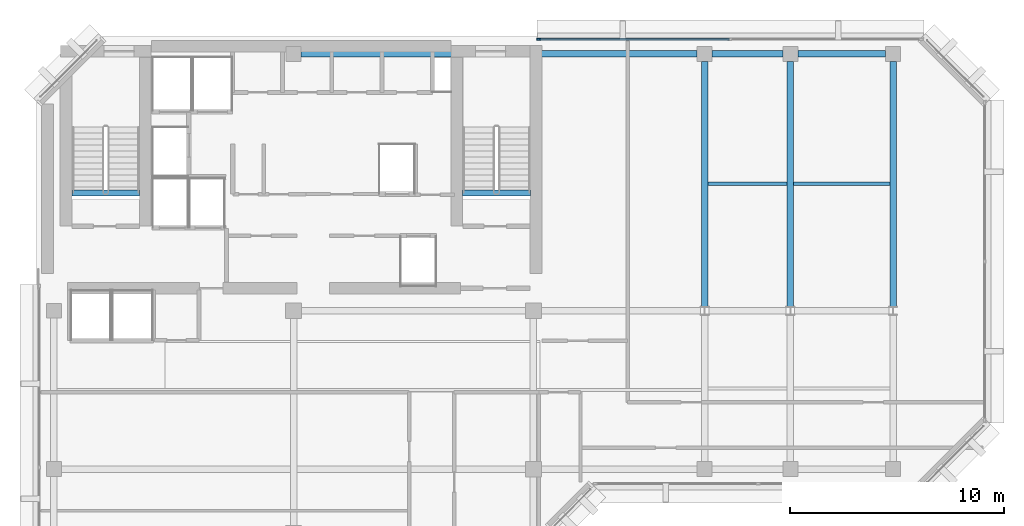
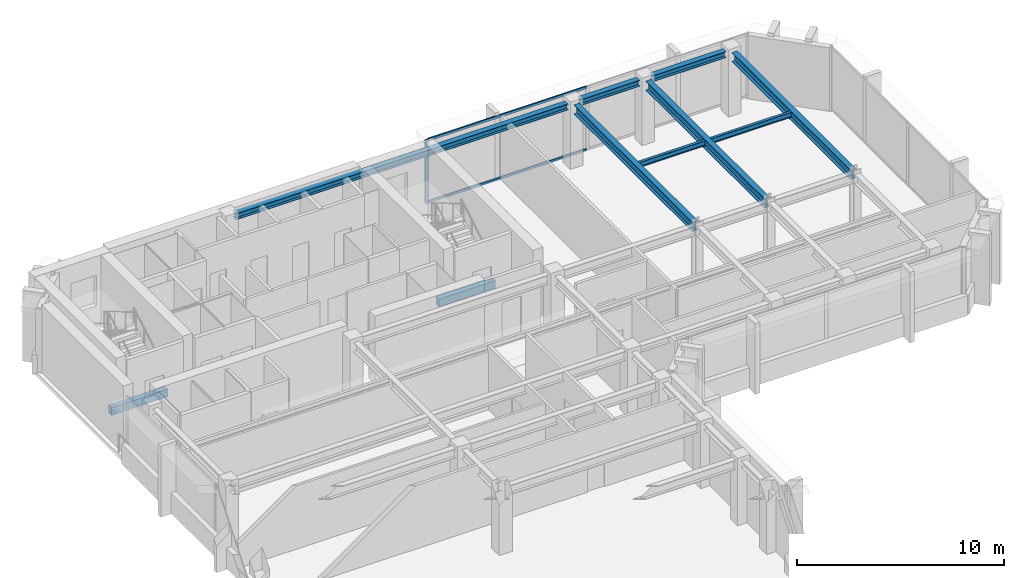
# One storey, part 4 of 11: 10 beams, 3 members, 1 element without a shape of its own.
"""IFC4 building model written with IfcOpenShell, lengths in metres."""

from ifc_helpers import new_model, si_unit, direction, frame, origin, origin_2d, place, context, subcontext, project, spatial, rectangle, i_section, extrude, material, layer, layer_set, material_profile, profile_set, type_object, element, aggregate, save


model = new_model("IFC4")

# Units and contexts
model_context = context("Model", 3, precision=1e-05, world=origin(), true_north=direction((0.0, 1.0)))
body_context = subcontext(model_context, "Body", "Model", "MODEL_VIEW")
ifc_project = project(units=[si_unit("LENGTHUNIT", "METRE"), si_unit("AREAUNIT", "SQUARE_METRE"), si_unit("VOLUMEUNIT", "CUBIC_METRE"), si_unit("PLANEANGLEUNIT", "RADIAN"), si_unit("MASSUNIT", "GRAM", prefix="KILO")], contexts=[model_context])

# Site, building, storey
site_placement = place(None, origin())
site = spatial("IfcSite", under=ifc_project, at=site_placement, CompositionType="ELEMENT")
building_placement = place(site_placement, origin())
building = spatial("IfcBuilding", under=site, at=building_placement, Name="Kefirva Bronze Tower", CompositionType="ELEMENT")
storey_placement = place(building_placement, frame((0.0, 0.0, 319.77001953125)))
storey = spatial("IfcBuildingStorey", under=building, at=storey_placement, Name="L78", CompositionType="ELEMENT", Elevation=319.77001953125)

# Curtain wall, members
ifc_material_1 = material(Name="Bronze anodised aluminium", Category="aluminium")
ifc_layer = layer(ifc_material_1, 0.179931640625, Name="Bronze anodised aluminium")
ifc_layer_set = layer_set([ifc_layer], Name="Bronze anodised aluminium")
curtain_wall_type = type_object("IfcCurtainWallType", Name="Unitised Bronze Ribbon Curtain Wall Zone 4", PredefinedType="USERDEFINED", material=ifc_layer_set)
curtain_wall_placement = place(storey_placement, origin())
curtain_wall = element("IfcCurtainWall", 1, at=curtain_wall_placement, inside=storey, type_object=curtain_wall_type, Name="L78 Curtain Wall 4", ObjectType="UNITISED CURTAIN WALL", PredefinedType="USERDEFINED")
ifc_material_profile_1 = material_profile(ifc_material_1, rectangle(XDim=0.074951171875, YDim=0.179931640625, at=origin_2d()), Name="ALU 75x180")
ifc_profile_set_1 = profile_set([ifc_material_profile_1], Name="Bronze anodised aluminium")
member_type_1 = type_object("IfcMemberType", Name="Bronze Mullion 75x180", PredefinedType="MULLION", material=ifc_profile_set_1)
member_1_placement = place(storey_placement, frame((23.4423828125, 45.8798828125, 0.0), z_axis=(0.0, 0.0, 1.0), x_axis=(0.0, -1.0, 0.0)))
member_1 = element("IfcMember", 2, at=member_1_placement, type_object=member_type_1, Name="CW-04 mullion 3", PredefinedType="MULLION", context=body_context, shape_type="SweptSolid", body=[
    extrude(rectangle(XDim=0.074951171875, YDim=0.179931640625, at=origin_2d()), origin(), (0.0, 0.0, 1.0), 3.739990234375),
])
ifc_material_profile_2 = material_profile(ifc_material_1, rectangle(XDim=0.074951171875, YDim=0.14990234375, at=origin_2d()), Name="ALU 75x150")
ifc_profile_set_2 = profile_set([ifc_material_profile_2], Name="Bronze anodised aluminium")
member_type_2 = type_object("IfcMemberType", Name="Bronze Transom 75x150", PredefinedType="USERDEFINED", material=ifc_profile_set_2)
member_2_placement = place(storey_placement, frame((32.33740234375, 45.8798828125, 0.03759765625), z_axis=(-1.0, 0.0, 0.0), x_axis=(0.0, -1.0, 0.0)))
member_2 = element("IfcMember", 3, at=member_2_placement, type_object=member_type_2, Name="CW-04 transom 2.1", ObjectType="TRANSOM", PredefinedType="USERDEFINED", context=body_context, shape_type="SweptSolid", body=[
    extrude(rectangle(XDim=0.074951171875, YDim=0.14990234375, at=origin_2d()), origin(), (0.0, 0.0, 1.0), 8.857421875),
])
member_3_placement = place(storey_placement, frame((32.33740234375, 45.8798828125, 3.702392578125), z_axis=(-1.0, 0.0, 0.0), x_axis=(0.0, -1.0, 0.0)))
member_3 = element("IfcMember", 4, at=member_3_placement, type_object=member_type_2, Name="CW-04 transom 2.2", ObjectType="TRANSOM", PredefinedType="USERDEFINED", context=body_context, shape_type="SweptSolid", body=[
    extrude(rectangle(XDim=0.074951171875, YDim=0.14990234375, at=origin_2d()), origin(), (0.0, 0.0, 1.0), 8.857421875),
])
aggregate(curtain_wall, [member_1, member_2, member_3])

# Beams
ifc_material_2 = material(Name="Concrete C50/60", Category="concrete")
ifc_material_profile_3 = material_profile(ifc_material_2, rectangle(XDim=0.300048828125, YDim=0.449951171875, at=origin_2d()), Name="RC 300x450")
ifc_profile_set_3 = profile_set([ifc_material_profile_3], Name="Concrete C50/60")
beam_type_1 = type_object("IfcBeamType", Name="RC Stair Trimmer Beam 300x450", PredefinedType="BEAM", material=ifc_profile_set_3)
beam_1_placement = place(storey_placement, frame((1.64501953125, 38.699951171875, -0.22509765625), z_axis=(1.0, 0.0, 0.0), x_axis=(0.0, 1.0, 0.0)))
element("IfcBeam", 5, at=beam_1_placement, inside=storey, type_object=beam_type_1, Name="L78 Stair 1 Landing Trimmer Beam", PredefinedType="BEAM", context=body_context, shape_type="SweptSolid", body=[
    extrude(rectangle(XDim=0.300048828125, YDim=0.449951171875, at=origin_2d()), origin(), (0.0, 0.0, 1.0), 3.14990234375),
])
beam_2_placement = place(storey_placement, frame((19.89501953125, 38.699951171875, -0.22509765625), z_axis=(1.0, 0.0, 0.0), x_axis=(0.0, 1.0, 0.0)))
element("IfcBeam", 6, at=beam_2_placement, inside=storey, type_object=beam_type_1, Name="L78 Stair 2 Landing Trimmer Beam", PredefinedType="BEAM", context=body_context, shape_type="SweptSolid", body=[
    extrude(rectangle(XDim=0.300048828125, YDim=0.449951171875, at=origin_2d()), origin(), (0.0, 0.0, 1.0), 3.159912109375),
])
ifc_material_3 = material(Name="Steel S355", Category="steel")
ifc_material_profile_4 = material_profile(ifc_material_3, i_section(OverallWidth=0.14990234375, OverallDepth=0.300048828125, WebThickness=0.007080078125, FlangeThickness=0.0107421875, at=origin_2d()), Name="IPE 300")
ifc_profile_set_4 = profile_set([ifc_material_profile_4], Name="Steel S355")
beam_type_2 = type_object("IfcBeamType", Name="Steel Floor Joist IPE 300", PredefinedType="JOIST", material=ifc_profile_set_4)
beam_3_placement = place(storey_placement, frame((31.35009765625, 39.12890625, 3.590087890625), z_axis=(1.0, 0.0, 0.0), x_axis=(0.0, 1.0, 0.0)))
element("IfcBeam", 7, at=beam_3_placement, inside=storey, type_object=beam_type_2, Name="L78 JST-L78-31-391", PredefinedType="JOIST", context=body_context, shape_type="SweptSolid", body=[
    extrude(i_section(OverallWidth=0.14990234375, OverallDepth=0.300048828125, WebThickness=0.007080078125, FlangeThickness=0.0107421875, at=origin_2d()), origin(), (0.0, 0.0, 1.0), 3.699951171875),
])
beam_4_placement = place(storey_placement, frame((35.35009765625, 39.12890625, 3.590087890625), z_axis=(1.0, 0.0, 0.0), x_axis=(0.0, 1.0, 0.0)))
element("IfcBeam", 8, at=beam_4_placement, inside=storey, type_object=beam_type_2, Name="L78 JST-L78-35-391", PredefinedType="JOIST", context=body_context, shape_type="SweptSolid", body=[
    extrude(i_section(OverallWidth=0.14990234375, OverallDepth=0.300048828125, WebThickness=0.007080078125, FlangeThickness=0.0107421875, at=origin_2d()), origin(), (0.0, 0.0, 1.0), 4.5),
])
ifc_material_profile_5 = material_profile(ifc_material_3, i_section(OverallWidth=0.300048828125, OverallDepth=0.550048828125, WebThickness=0.014892578125, FlangeThickness=0.029052734375, at=origin_2d()), Name="HEB 550")
ifc_profile_set_5 = profile_set([ifc_material_profile_5], Name="Steel S355")
beam_type_3 = type_object("IfcBeamType", Name="Steel Girder HEB 550", PredefinedType="USERDEFINED", material=ifc_profile_set_5)
for number, where, z_axis, x_axis, name in (
    (9, (31.199951171875, 33.407958984375, 3.465087890625), (0.0, 1.0, 0.0), (-1.0, 0.0, 0.0), "L78 BM-L78-NS-312-33"),
    (10, (35.199951171875, 33.407958984375, 3.465087890625), (0.0, 1.0, 0.0), (-1.0, 0.0, 0.0), "L78 BM-L78-NS-352-33"),
    (11, (40.0, 33.407958984375, 3.465087890625), (0.0, 1.0, 0.0), (-1.0, 0.0, 0.0), "L78 BM-L78-NS-400-33"),
):
    element("IfcBeam", number, at=place(storey_placement, frame(where, z_axis=z_axis, x_axis=x_axis)), inside=storey, type_object=beam_type_3, Name=name, ObjectType="GIRDER", PredefinedType="USERDEFINED", context=body_context, shape_type="SweptSolid", body=[
        extrude(i_section(OverallWidth=0.300048828125, OverallDepth=0.550048828125, WebThickness=0.014892578125, FlangeThickness=0.029052734375, at=origin_2d()), origin(), (0.0, 0.0, 1.0), 11.442138671875),
    ])
ifc_material_profile_6 = material_profile(ifc_material_3, i_section(OverallWidth=0.300048828125, OverallDepth=0.360107421875, WebThickness=0.012451171875, FlangeThickness=0.0224609375, at=origin_2d()), Name="HEB 360")
ifc_profile_set_6 = profile_set([ifc_material_profile_6], Name="Steel S355")
beam_type_4 = type_object("IfcBeamType", Name="Steel Spandrel HEB 360 Ext", PredefinedType="SPANDREL", material=ifc_profile_set_6)
beam_5_placement = place(storey_placement, frame((12.35009765625, 45.199951171875, 3.56005859375), z_axis=(1.0, 0.0, 0.0), x_axis=(0.0, 1.0, 0.0)))
element("IfcBeam", 12, at=beam_5_placement, inside=storey, type_object=beam_type_4, Name="L78 BM-L78-EW-12-452", PredefinedType="SPANDREL", context=body_context, shape_type="SweptSolid", body=[
    extrude(i_section(OverallWidth=0.300048828125, OverallDepth=0.360107421875, WebThickness=0.012451171875, FlangeThickness=0.0224609375, at=origin_2d()), origin(), (0.0, 0.0, 1.0), 18.5),
])
beam_6_placement = place(storey_placement, frame((31.550048828125, 45.199951171875, 3.56005859375), z_axis=(1.0, 0.0, 0.0), x_axis=(0.0, 1.0, 0.0)))
element("IfcBeam", 13, at=beam_6_placement, inside=storey, type_object=beam_type_4, Name="L78 BM-L78-EW-31-452", PredefinedType="SPANDREL", context=body_context, shape_type="SweptSolid", body=[
    extrude(i_section(OverallWidth=0.300048828125, OverallDepth=0.360107421875, WebThickness=0.012451171875, FlangeThickness=0.0224609375, at=origin_2d()), origin(), (0.0, 0.0, 1.0), 3.300048828125),
])
beam_7_placement = place(storey_placement, frame((35.550048828125, 45.199951171875, 3.56005859375), z_axis=(1.0, 0.0, 0.0), x_axis=(0.0, 1.0, 0.0)))
element("IfcBeam", 14, at=beam_7_placement, inside=storey, type_object=beam_type_4, Name="L78 BM-L78-EW-35-452", PredefinedType="SPANDREL", context=body_context, shape_type="SweptSolid", body=[
    extrude(i_section(OverallWidth=0.300048828125, OverallDepth=0.360107421875, WebThickness=0.012451171875, FlangeThickness=0.0224609375, at=origin_2d()), origin(), (0.0, 0.0, 1.0), 4.099853515625),
])

save(model, "model.ifc")
